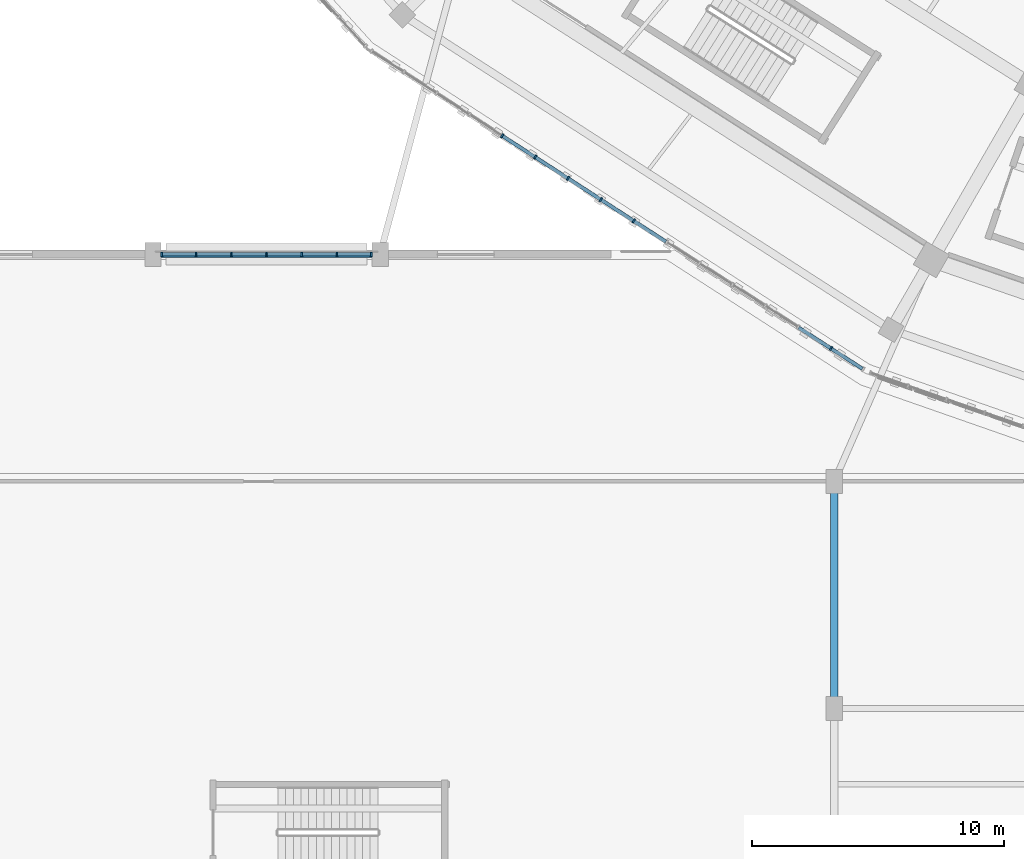
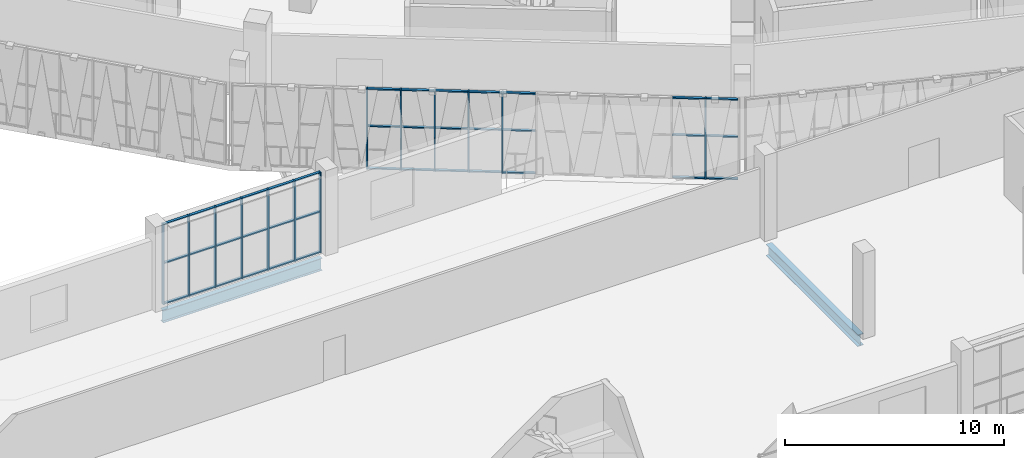
# One storey, part 6 of 179: 52 members, 2 beams, 2 elements without a shape of their own.
"""IFC4 building model written with IfcOpenShell, lengths in metres."""

from ifc_helpers import new_model, si_unit, direction, frame, origin, origin_2d, place, context, subcontext, project, spatial, rectangle, i_section, extrude, material, material_profile, profile_set, type_object, element, aggregate, save


model = new_model("IFC4")

# Units and contexts
model_context = context("Model", 3, precision=1e-05, world=origin(), true_north=direction((0.0, 1.0)))
body_context = subcontext(model_context, "Body", "Model", "MODEL_VIEW")
ifc_project = project(units=[si_unit("LENGTHUNIT", "METRE"), si_unit("AREAUNIT", "SQUARE_METRE"), si_unit("VOLUMEUNIT", "CUBIC_METRE"), si_unit("PLANEANGLEUNIT", "RADIAN"), si_unit("MASSUNIT", "GRAM", prefix="KILO")], contexts=[model_context])

# Site, building, storey
site_placement = place(None, origin())
site = spatial("IfcSite", under=ifc_project, at=site_placement, CompositionType="ELEMENT")
building_placement = place(site_placement, origin())
building = spatial("IfcBuilding", under=site, at=building_placement, Name="Zevraka Park Crest Stadium", CompositionType="ELEMENT")
storey_placement = place(building_placement, frame((0.0, 0.0, 10.199951171875)))
storey = spatial("IfcBuildingStorey", under=building, at=storey_placement, Name="L02", CompositionType="ELEMENT", Elevation=10.199951171875)

# Beams
ifc_material_1 = material(Name="Steel S355", Category="steel")
ifc_material_profile_1 = material_profile(ifc_material_1, i_section(OverallWidth=0.253662109375, OverallDepth=0.68359375, WebThickness=0.012451171875, FlangeThickness=0.01904296875, at=origin_2d()), Name="UKB 686x254x140")
ifc_profile_set_1 = profile_set([ifc_material_profile_1], Name="Steel S355")
beam_type_1 = type_object("IfcBeamType", Name="BG05", PredefinedType="BEAM", material=ifc_profile_set_1)
beam_1_placement = place(storey_placement, frame((36.300048828125, 27.0, -0.629638671875), z_axis=(1.0, 0.0, 0.0), x_axis=(0.0, 1.0, 0.0)))
element("IfcBeam", 1, at=beam_1_placement, inside=storey, type_object=beam_type_1, Name="Wing Girder BG05 L02-56/D", PredefinedType="BEAM", context=body_context, shape_type="SweptSolid", body=[
    extrude(i_section(OverallWidth=0.253662109375, OverallDepth=0.68359375, WebThickness=0.012451171875, FlangeThickness=0.01904296875, at=origin_2d()), origin(), (0.0, 0.0, 1.0), 8.39990234375),
])
ifc_material_2 = material(Name="Steel S355", Category="steel")
ifc_material_profile_2 = material_profile(ifc_material_2, i_section(OverallWidth=0.300048828125, OverallDepth=0.64990234375, WebThickness=0.01611328125, FlangeThickness=0.031005859375, at=origin_2d()), Name="HEB 650")
ifc_profile_set_2 = profile_set([ifc_material_profile_2], Name="Steel S355")
beam_type_2 = type_object("IfcBeamType", Name="BG07", PredefinedType="BEAM", material=ifc_profile_set_2)
beam_2_placement = place(storey_placement, frame((63.0, 9.300048828125, -0.613037109375), z_axis=(0.0, 1.0, 0.0), x_axis=(-1.0, 0.0, 0.0)))
element("IfcBeam", 2, at=beam_2_placement, inside=storey, type_object=beam_type_2, Name="Wing Girder BG07 L02-8/BC", PredefinedType="BEAM", context=body_context, shape_type="SweptSolid", body=[
    extrude(i_section(OverallWidth=0.300048828125, OverallDepth=0.64990234375, WebThickness=0.01611328125, FlangeThickness=0.031005859375, at=origin_2d()), origin(), (0.0, 0.0, 1.0), 8.39990234375),
])

# Curtain wall, members
ifc_material_3 = material(Name="Anodised architectural aluminium and laminated safety glass", Category="aluminium")
curtain_wall_type_1 = type_object("IfcCurtainWallType", Name="CW08", PredefinedType="NOTDEFINED", material=ifc_material_3)
curtain_wall_1_placement = place(storey_placement, origin())
curtain_wall_1 = element("IfcCurtainWall", 3, at=curtain_wall_1_placement, inside=storey, type_object=curtain_wall_type_1, Name="Unitised Ring Curtain Wall CW08 L02-15", PredefinedType="NOTDEFINED")
ifc_material_4 = material(Name="Anodised architectural aluminium", Category="aluminium")
ifc_material_profile_3 = material_profile(ifc_material_4, rectangle(XDim=0.179931640625, YDim=0.06494140625, at=origin_2d()), Name="ALU MULLION 180x65")
ifc_profile_set_3 = profile_set([ifc_material_profile_3], Name="Anodised architectural aluminium")
member_type_1 = type_object("IfcMemberType", Name="CM02", PredefinedType="MULLION", material=ifc_profile_set_3)
member_1_placement = place(storey_placement, frame((49.84375, 31.697998046875, 0.0), z_axis=(0.0, 0.0, 1.0), x_axis=(0.543096287444, 0.839670424967, 0.0)))
member_1 = element("IfcMember", 4, at=member_1_placement, type_object=member_type_1, Name="CW08 mullion 5", PredefinedType="MULLION", context=body_context, shape_type="SweptSolid", body=[
    extrude(rectangle(XDim=0.179931640625, YDim=0.06494140625, at=origin_2d()), origin(), (0.0, 0.0, 1.0), 4.5),
])
member_2_placement = place(storey_placement, frame((51.146728515625, 30.855224609375, 0.0), z_axis=(0.0, 0.0, 1.0), x_axis=(0.543096287444, 0.839670424967, 0.0)))
member_2 = element("IfcMember", 5, at=member_2_placement, type_object=member_type_1, Name="CW08 mullion 6", PredefinedType="MULLION", context=body_context, shape_type="SweptSolid", body=[
    extrude(rectangle(XDim=0.179931640625, YDim=0.06494140625, at=origin_2d()), origin(), (0.0, 0.0, 1.0), 4.5),
])
member_3_placement = place(storey_placement, frame((52.44970703125, 30.0126953125, 0.0), z_axis=(0.0, 0.0, 1.0), x_axis=(0.543096287444, 0.839670424967, 0.0)))
member_3 = element("IfcMember", 6, at=member_3_placement, type_object=member_type_1, Name="CW08 mullion 7", PredefinedType="MULLION", context=body_context, shape_type="SweptSolid", body=[
    extrude(rectangle(XDim=0.179931640625, YDim=0.06494140625, at=origin_2d()), origin(), (0.0, 0.0, 1.0), 4.5),
])
member_4_placement = place(storey_placement, frame((53.75244140625, 29.169921875, 0.0), z_axis=(0.0, 0.0, 1.0), x_axis=(0.543096287444, 0.839670424967, 0.0)))
member_4 = element("IfcMember", 7, at=member_4_placement, type_object=member_type_1, Name="CW08 mullion 8", PredefinedType="MULLION", context=body_context, shape_type="SweptSolid", body=[
    extrude(rectangle(XDim=0.179931640625, YDim=0.06494140625, at=origin_2d()), origin(), (0.0, 0.0, 1.0), 4.5),
])
member_5_placement = place(storey_placement, frame((55.055419921875, 28.3271484375, 0.0), z_axis=(0.0, 0.0, 1.0), x_axis=(0.543096287444, 0.839670424967, 0.0)))
member_5 = element("IfcMember", 8, at=member_5_placement, type_object=member_type_1, Name="CW08 mullion 9", PredefinedType="MULLION", context=body_context, shape_type="SweptSolid", body=[
    extrude(rectangle(XDim=0.179931640625, YDim=0.06494140625, at=origin_2d()), origin(), (0.0, 0.0, 1.0), 4.5),
])
member_6_placement = place(storey_placement, frame((62.873046875, 23.270751953125, 0.0), z_axis=(0.0, 0.0, 1.0), x_axis=(0.543096287444, 0.839670424967, 0.0)))
member_6 = element("IfcMember", 9, at=member_6_placement, type_object=member_type_1, Name="CW08 mullion 15", PredefinedType="MULLION", context=body_context, shape_type="SweptSolid", body=[
    extrude(rectangle(XDim=0.179931640625, YDim=0.06494140625, at=origin_2d()), origin(), (0.0, 0.0, 1.0), 4.5),
])

ifc_material_5 = material(Name="Anodised architectural aluminium and laminated safety glass", Category="aluminium")
curtain_wall_type_2 = type_object("IfcCurtainWallType", Name="CW26", PredefinedType="NOTDEFINED", material=ifc_material_5)
curtain_wall_2_placement = place(storey_placement, origin())
curtain_wall_2 = element("IfcCurtainWall", 10, at=curtain_wall_2_placement, inside=storey, type_object=curtain_wall_type_2, Name="Wing Curtain Wall CW26 L02-SW-N-4", PredefinedType="NOTDEFINED")
member_7_placement = place(storey_placement, frame((36.347412109375, 27.0, 0.0), z_axis=(0.0, 0.0, 1.0), x_axis=(0.0, 1.0, 0.0)))
member_7 = element("IfcMember", 11, at=member_7_placement, type_object=member_type_1, Name="CW26 mullion 1", PredefinedType="MULLION", context=body_context, shape_type="SweptSolid", body=[
    extrude(rectangle(XDim=0.179931640625, YDim=0.06494140625, at=origin_2d()), origin(), (0.0, 0.0, 1.0), 4.5),
])
member_8_placement = place(storey_placement, frame((37.7099609375, 27.0, 0.0), z_axis=(0.0, 0.0, 1.0), x_axis=(0.0, 1.0, 0.0)))
member_8 = element("IfcMember", 12, at=member_8_placement, type_object=member_type_1, Name="CW26 mullion 2", PredefinedType="MULLION", context=body_context, shape_type="SweptSolid", body=[
    extrude(rectangle(XDim=0.179931640625, YDim=0.06494140625, at=origin_2d()), origin(), (0.0, 0.0, 1.0), 4.5),
])
member_9_placement = place(storey_placement, frame((39.10498046875, 27.0, 0.0), z_axis=(0.0, 0.0, 1.0), x_axis=(0.0, 1.0, 0.0)))
member_9 = element("IfcMember", 13, at=member_9_placement, type_object=member_type_1, Name="CW26 mullion 3", PredefinedType="MULLION", context=body_context, shape_type="SweptSolid", body=[
    extrude(rectangle(XDim=0.179931640625, YDim=0.06494140625, at=origin_2d()), origin(), (0.0, 0.0, 1.0), 4.5),
])
member_10_placement = place(storey_placement, frame((40.5, 27.0, 0.0), z_axis=(0.0, 0.0, 1.0), x_axis=(0.0, 1.0, 0.0)))
member_10 = element("IfcMember", 14, at=member_10_placement, type_object=member_type_1, Name="CW26 mullion 4", PredefinedType="MULLION", context=body_context, shape_type="SweptSolid", body=[
    extrude(rectangle(XDim=0.179931640625, YDim=0.06494140625, at=origin_2d()), origin(), (0.0, 0.0, 1.0), 4.5),
])
member_11_placement = place(storey_placement, frame((41.89501953125, 27.0, 0.0), z_axis=(0.0, 0.0, 1.0), x_axis=(0.0, 1.0, 0.0)))
member_11 = element("IfcMember", 15, at=member_11_placement, type_object=member_type_1, Name="CW26 mullion 5", PredefinedType="MULLION", context=body_context, shape_type="SweptSolid", body=[
    extrude(rectangle(XDim=0.179931640625, YDim=0.06494140625, at=origin_2d()), origin(), (0.0, 0.0, 1.0), 4.5),
])
member_12_placement = place(storey_placement, frame((43.2900390625, 27.0, 0.0), z_axis=(0.0, 0.0, 1.0), x_axis=(0.0, 1.0, 0.0)))
member_12 = element("IfcMember", 16, at=member_12_placement, type_object=member_type_1, Name="CW26 mullion 6", PredefinedType="MULLION", context=body_context, shape_type="SweptSolid", body=[
    extrude(rectangle(XDim=0.179931640625, YDim=0.06494140625, at=origin_2d()), origin(), (0.0, 0.0, 1.0), 4.5),
])
member_13_placement = place(storey_placement, frame((44.652587890625, 27.0, 0.0), z_axis=(0.0, 0.0, 1.0), x_axis=(0.0, 1.0, 0.0)))
member_13 = element("IfcMember", 17, at=member_13_placement, type_object=member_type_1, Name="CW26 mullion 7", PredefinedType="MULLION", context=body_context, shape_type="SweptSolid", body=[
    extrude(rectangle(XDim=0.179931640625, YDim=0.06494140625, at=origin_2d()), origin(), (0.0, 0.0, 1.0), 4.5),
])

# Member
ifc_material_6 = material(Name="Anodised architectural aluminium", Category="aluminium")
ifc_material_profile_4 = material_profile(ifc_material_6, rectangle(XDim=0.139892578125, YDim=0.06494140625, at=origin_2d()), Name="ALU TRANSOM 140x65")
ifc_profile_set_4 = profile_set([ifc_material_profile_4], Name="Anodised architectural aluminium")
member_type_2 = type_object("IfcMemberType", Name="CT02", PredefinedType="USERDEFINED", material=ifc_profile_set_4)
member_14_placement = place(storey_placement, frame((49.87109375, 31.680419921875, 0.032470703125), z_axis=(0.839675885301, -0.543087845236, 0.0), x_axis=(0.543087845236, 0.839675885301, 0.0)))
member_14 = element("IfcMember", 18, at=member_14_placement, type_object=member_type_2, Name="CW08 transom 5.1", ObjectType="TRANSOM", PredefinedType="USERDEFINED", context=body_context, shape_type="SweptSolid", body=[
    extrude(rectangle(XDim=0.139892578125, YDim=0.06494140625, at=origin_2d()), origin(), (0.0, 0.0, 1.0), 1.486572265625),
])

member_15_placement = place(storey_placement, frame((49.87109375, 31.680419921875, 2.400146484375), z_axis=(0.839675885301, -0.543087845236, 0.0), x_axis=(0.543087845236, 0.839675885301, 0.0)))
member_15 = element("IfcMember", 19, at=member_15_placement, type_object=member_type_2, Name="CW08 transom 5.2", ObjectType="TRANSOM", PredefinedType="USERDEFINED", context=body_context, shape_type="SweptSolid", body=[
    extrude(rectangle(XDim=0.139892578125, YDim=0.06494140625, at=origin_2d()), origin(), (0.0, 0.0, 1.0), 1.486572265625),
])

member_16_placement = place(storey_placement, frame((49.87109375, 31.680419921875, 4.467529296875), z_axis=(0.839675885301, -0.543087845236, 0.0), x_axis=(0.543087845236, 0.839675885301, 0.0)))
member_16 = element("IfcMember", 20, at=member_16_placement, type_object=member_type_2, Name="CW08 transom 5.3", ObjectType="TRANSOM", PredefinedType="USERDEFINED", context=body_context, shape_type="SweptSolid", body=[
    extrude(rectangle(XDim=0.139892578125, YDim=0.06494140625, at=origin_2d()), origin(), (0.0, 0.0, 1.0), 1.486572265625),
])

member_17_placement = place(storey_placement, frame((51.174072265625, 30.837646484375, 0.032470703125), z_axis=(0.839675885301, -0.543087845236, 0.0), x_axis=(0.543087845236, 0.839675885301, 0.0)))
member_17 = element("IfcMember", 21, at=member_17_placement, type_object=member_type_2, Name="CW08 transom 6.1", ObjectType="TRANSOM", PredefinedType="USERDEFINED", context=body_context, shape_type="SweptSolid", body=[
    extrude(rectangle(XDim=0.139892578125, YDim=0.06494140625, at=origin_2d()), origin(), (0.0, 0.0, 1.0), 1.486572265625),
])

member_18_placement = place(storey_placement, frame((51.174072265625, 30.837646484375, 2.400146484375), z_axis=(0.839675885301, -0.543087845236, 0.0), x_axis=(0.543087845236, 0.839675885301, 0.0)))
member_18 = element("IfcMember", 22, at=member_18_placement, type_object=member_type_2, Name="CW08 transom 6.2", ObjectType="TRANSOM", PredefinedType="USERDEFINED", context=body_context, shape_type="SweptSolid", body=[
    extrude(rectangle(XDim=0.139892578125, YDim=0.06494140625, at=origin_2d()), origin(), (0.0, 0.0, 1.0), 1.486572265625),
])

member_19_placement = place(storey_placement, frame((51.174072265625, 30.837646484375, 4.467529296875), z_axis=(0.839675885301, -0.543087845236, 0.0), x_axis=(0.543087845236, 0.839675885301, 0.0)))
member_19 = element("IfcMember", 23, at=member_19_placement, type_object=member_type_2, Name="CW08 transom 6.3", ObjectType="TRANSOM", PredefinedType="USERDEFINED", context=body_context, shape_type="SweptSolid", body=[
    extrude(rectangle(XDim=0.139892578125, YDim=0.06494140625, at=origin_2d()), origin(), (0.0, 0.0, 1.0), 1.486572265625),
])

member_20_placement = place(storey_placement, frame((52.476806640625, 29.994873046875, 0.032470703125), z_axis=(0.839724312152, -0.543012964468, 0.0), x_axis=(0.543012964468, 0.839724312152, 0.0)))
member_20 = element("IfcMember", 24, at=member_20_placement, type_object=member_type_2, Name="CW08 transom 7.1", ObjectType="TRANSOM", PredefinedType="USERDEFINED", context=body_context, shape_type="SweptSolid", body=[
    extrude(rectangle(XDim=0.139892578125, YDim=0.06494140625, at=origin_2d()), origin(), (0.0, 0.0, 1.0), 1.48681640625),
])

member_21_placement = place(storey_placement, frame((52.476806640625, 29.994873046875, 2.400146484375), z_axis=(0.839724312152, -0.543012964468, 0.0), x_axis=(0.543012964468, 0.839724312152, 0.0)))
member_21 = element("IfcMember", 25, at=member_21_placement, type_object=member_type_2, Name="CW08 transom 7.2", ObjectType="TRANSOM", PredefinedType="USERDEFINED", context=body_context, shape_type="SweptSolid", body=[
    extrude(rectangle(XDim=0.139892578125, YDim=0.06494140625, at=origin_2d()), origin(), (0.0, 0.0, 1.0), 1.48681640625),
])

member_22_placement = place(storey_placement, frame((52.476806640625, 29.994873046875, 4.467529296875), z_axis=(0.839724312152, -0.543012964468, 0.0), x_axis=(0.543012964468, 0.839724312152, 0.0)))
member_22 = element("IfcMember", 26, at=member_22_placement, type_object=member_type_2, Name="CW08 transom 7.3", ObjectType="TRANSOM", PredefinedType="USERDEFINED", context=body_context, shape_type="SweptSolid", body=[
    extrude(rectangle(XDim=0.139892578125, YDim=0.06494140625, at=origin_2d()), origin(), (0.0, 0.0, 1.0), 1.48681640625),
])

member_23_placement = place(storey_placement, frame((53.77978515625, 29.152099609375, 0.032470703125), z_axis=(0.839675885301, -0.543087845236, 0.0), x_axis=(0.543087845236, 0.839675885301, 0.0)))
member_23 = element("IfcMember", 27, at=member_23_placement, type_object=member_type_2, Name="CW08 transom 8.1", ObjectType="TRANSOM", PredefinedType="USERDEFINED", context=body_context, shape_type="SweptSolid", body=[
    extrude(rectangle(XDim=0.139892578125, YDim=0.06494140625, at=origin_2d()), origin(), (0.0, 0.0, 1.0), 1.486572265625),
])

member_24_placement = place(storey_placement, frame((53.77978515625, 29.152099609375, 2.400146484375), z_axis=(0.839675885301, -0.543087845236, 0.0), x_axis=(0.543087845236, 0.839675885301, 0.0)))
member_24 = element("IfcMember", 28, at=member_24_placement, type_object=member_type_2, Name="CW08 transom 8.2", ObjectType="TRANSOM", PredefinedType="USERDEFINED", context=body_context, shape_type="SweptSolid", body=[
    extrude(rectangle(XDim=0.139892578125, YDim=0.06494140625, at=origin_2d()), origin(), (0.0, 0.0, 1.0), 1.486572265625),
])

member_25_placement = place(storey_placement, frame((53.77978515625, 29.152099609375, 4.467529296875), z_axis=(0.839675885301, -0.543087845236, 0.0), x_axis=(0.543087845236, 0.839675885301, 0.0)))
member_25 = element("IfcMember", 29, at=member_25_placement, type_object=member_type_2, Name="CW08 transom 8.3", ObjectType="TRANSOM", PredefinedType="USERDEFINED", context=body_context, shape_type="SweptSolid", body=[
    extrude(rectangle(XDim=0.139892578125, YDim=0.06494140625, at=origin_2d()), origin(), (0.0, 0.0, 1.0), 1.486572265625),
])

member_26_placement = place(storey_placement, frame((55.082763671875, 28.3095703125, 0.032470703125), z_axis=(0.839600995064, -0.543203616599, 0.0), x_axis=(0.543203616599, 0.839600995064, 0.0)))
member_26 = element("IfcMember", 30, at=member_26_placement, type_object=member_type_2, Name="CW08 transom 9.1", ObjectType="TRANSOM", PredefinedType="USERDEFINED", context=body_context, shape_type="SweptSolid", body=[
    extrude(rectangle(XDim=0.139892578125, YDim=0.06494140625, at=origin_2d()), origin(), (0.0, 0.0, 1.0), 1.48681640625),
])

member_27_placement = place(storey_placement, frame((55.082763671875, 28.3095703125, 2.400146484375), z_axis=(0.839600995064, -0.543203616599, 0.0), x_axis=(0.543203616599, 0.839600995064, 0.0)))
member_27 = element("IfcMember", 31, at=member_27_placement, type_object=member_type_2, Name="CW08 transom 9.2", ObjectType="TRANSOM", PredefinedType="USERDEFINED", context=body_context, shape_type="SweptSolid", body=[
    extrude(rectangle(XDim=0.139892578125, YDim=0.06494140625, at=origin_2d()), origin(), (0.0, 0.0, 1.0), 1.48681640625),
])

member_28_placement = place(storey_placement, frame((55.082763671875, 28.3095703125, 4.467529296875), z_axis=(0.839600995064, -0.543203616599, 0.0), x_axis=(0.543203616599, 0.839600995064, 0.0)))
member_28 = element("IfcMember", 32, at=member_28_placement, type_object=member_type_2, Name="CW08 transom 9.3", ObjectType="TRANSOM", PredefinedType="USERDEFINED", context=body_context, shape_type="SweptSolid", body=[
    extrude(rectangle(XDim=0.139892578125, YDim=0.06494140625, at=origin_2d()), origin(), (0.0, 0.0, 1.0), 1.48681640625),
])

member_29_placement = place(storey_placement, frame((61.597412109375, 24.095703125, 0.032470703125), z_axis=(0.839675885301, -0.543087845236, 0.0), x_axis=(0.543087845236, 0.839675885301, 0.0)))
member_29 = element("IfcMember", 33, at=member_29_placement, type_object=member_type_2, Name="CW08 transom 14.1", ObjectType="TRANSOM", PredefinedType="USERDEFINED", context=body_context, shape_type="SweptSolid", body=[
    extrude(rectangle(XDim=0.139892578125, YDim=0.06494140625, at=origin_2d()), origin(), (0.0, 0.0, 1.0), 1.486572265625),
])

member_30_placement = place(storey_placement, frame((61.597412109375, 24.095703125, 2.400146484375), z_axis=(0.839675885301, -0.543087845236, 0.0), x_axis=(0.543087845236, 0.839675885301, 0.0)))
member_30 = element("IfcMember", 34, at=member_30_placement, type_object=member_type_2, Name="CW08 transom 14.2", ObjectType="TRANSOM", PredefinedType="USERDEFINED", context=body_context, shape_type="SweptSolid", body=[
    extrude(rectangle(XDim=0.139892578125, YDim=0.06494140625, at=origin_2d()), origin(), (0.0, 0.0, 1.0), 1.486572265625),
])

member_31_placement = place(storey_placement, frame((61.597412109375, 24.095703125, 4.467529296875), z_axis=(0.839675885301, -0.543087845236, 0.0), x_axis=(0.543087845236, 0.839675885301, 0.0)))
member_31 = element("IfcMember", 35, at=member_31_placement, type_object=member_type_2, Name="CW08 transom 14.3", ObjectType="TRANSOM", PredefinedType="USERDEFINED", context=body_context, shape_type="SweptSolid", body=[
    extrude(rectangle(XDim=0.139892578125, YDim=0.06494140625, at=origin_2d()), origin(), (0.0, 0.0, 1.0), 1.486572265625),
])

member_32_placement = place(storey_placement, frame((62.900390625, 23.253173828125, 0.032470703125), z_axis=(0.839642221706, -0.543139889466, 0.0), x_axis=(0.543139889466, 0.839642221706, 0.0)))
member_32 = element("IfcMember", 36, at=member_32_placement, type_object=member_type_2, Name="CW08 transom 15.1", ObjectType="TRANSOM", PredefinedType="USERDEFINED", context=body_context, shape_type="SweptSolid", body=[
    extrude(rectangle(XDim=0.139892578125, YDim=0.06494140625, at=origin_2d()), origin(), (0.0, 0.0, 1.0), 1.4541015625),
])

member_33_placement = place(storey_placement, frame((62.900390625, 23.253173828125, 2.400146484375), z_axis=(0.839642221706, -0.543139889466, 0.0), x_axis=(0.543139889466, 0.839642221706, 0.0)))
member_33 = element("IfcMember", 37, at=member_33_placement, type_object=member_type_2, Name="CW08 transom 15.2", ObjectType="TRANSOM", PredefinedType="USERDEFINED", context=body_context, shape_type="SweptSolid", body=[
    extrude(rectangle(XDim=0.139892578125, YDim=0.06494140625, at=origin_2d()), origin(), (0.0, 0.0, 1.0), 1.4541015625),
])

member_34_placement = place(storey_placement, frame((62.900390625, 23.253173828125, 4.467529296875), z_axis=(0.839642221706, -0.543139889466, 0.0), x_axis=(0.543139889466, 0.839642221706, 0.0)))
member_34 = element("IfcMember", 38, at=member_34_placement, type_object=member_type_2, Name="CW08 transom 15.3", ObjectType="TRANSOM", PredefinedType="USERDEFINED", context=body_context, shape_type="SweptSolid", body=[
    extrude(rectangle(XDim=0.139892578125, YDim=0.06494140625, at=origin_2d()), origin(), (0.0, 0.0, 1.0), 1.4541015625),
])

aggregate(curtain_wall_1, [member_1, member_2, member_3, member_4, member_5, member_6, member_14, member_15, member_16, member_17, member_18, member_19, member_20, member_21, member_22, member_23, member_24, member_25, member_26, member_27, member_28, member_29, member_30, member_31, member_32, member_33, member_34])

member_35_placement = place(storey_placement, frame((36.3798828125, 27.0, 0.032470703125), z_axis=(1.0, 0.0, 0.0), x_axis=(0.0, 1.0, 0.0)))
member_35 = element("IfcMember", 39, at=member_35_placement, type_object=member_type_2, Name="CW26 transom 1.1", ObjectType="TRANSOM", PredefinedType="USERDEFINED", context=body_context, shape_type="SweptSolid", body=[
    extrude(rectangle(XDim=0.139892578125, YDim=0.06494140625, at=origin_2d()), origin(), (0.0, 0.0, 1.0), 1.297607421875),
])

member_36_placement = place(storey_placement, frame((36.3798828125, 27.0, 2.300048828125), z_axis=(1.0, 0.0, 0.0), x_axis=(0.0, 1.0, 0.0)))
member_36 = element("IfcMember", 40, at=member_36_placement, type_object=member_type_2, Name="CW26 transom 1.2", ObjectType="TRANSOM", PredefinedType="USERDEFINED", context=body_context, shape_type="SweptSolid", body=[
    extrude(rectangle(XDim=0.139892578125, YDim=0.06494140625, at=origin_2d()), origin(), (0.0, 0.0, 1.0), 1.297607421875),
])

member_37_placement = place(storey_placement, frame((36.3798828125, 27.0, 4.467529296875), z_axis=(1.0, 0.0, 0.0), x_axis=(0.0, 1.0, 0.0)))
member_37 = element("IfcMember", 41, at=member_37_placement, type_object=member_type_2, Name="CW26 transom 1.3", ObjectType="TRANSOM", PredefinedType="USERDEFINED", context=body_context, shape_type="SweptSolid", body=[
    extrude(rectangle(XDim=0.139892578125, YDim=0.06494140625, at=origin_2d()), origin(), (0.0, 0.0, 1.0), 1.297607421875),
])

member_38_placement = place(storey_placement, frame((37.742431640625, 27.0, 0.032470703125), z_axis=(1.0, 0.0, 0.0), x_axis=(0.0, 1.0, 0.0)))
member_38 = element("IfcMember", 42, at=member_38_placement, type_object=member_type_2, Name="CW26 transom 2.1", ObjectType="TRANSOM", PredefinedType="USERDEFINED", context=body_context, shape_type="SweptSolid", body=[
    extrude(rectangle(XDim=0.139892578125, YDim=0.06494140625, at=origin_2d()), origin(), (0.0, 0.0, 1.0), 1.330078125),
])

member_39_placement = place(storey_placement, frame((37.742431640625, 27.0, 2.300048828125), z_axis=(1.0, 0.0, 0.0), x_axis=(0.0, 1.0, 0.0)))
member_39 = element("IfcMember", 43, at=member_39_placement, type_object=member_type_2, Name="CW26 transom 2.2", ObjectType="TRANSOM", PredefinedType="USERDEFINED", context=body_context, shape_type="SweptSolid", body=[
    extrude(rectangle(XDim=0.139892578125, YDim=0.06494140625, at=origin_2d()), origin(), (0.0, 0.0, 1.0), 1.330078125),
])

member_40_placement = place(storey_placement, frame((37.742431640625, 27.0, 4.467529296875), z_axis=(1.0, 0.0, 0.0), x_axis=(0.0, 1.0, 0.0)))
member_40 = element("IfcMember", 44, at=member_40_placement, type_object=member_type_2, Name="CW26 transom 2.3", ObjectType="TRANSOM", PredefinedType="USERDEFINED", context=body_context, shape_type="SweptSolid", body=[
    extrude(rectangle(XDim=0.139892578125, YDim=0.06494140625, at=origin_2d()), origin(), (0.0, 0.0, 1.0), 1.330078125),
])

member_41_placement = place(storey_placement, frame((39.137451171875, 27.0, 0.032470703125), z_axis=(1.0, 0.0, 0.0), x_axis=(0.0, 1.0, 0.0)))
member_41 = element("IfcMember", 45, at=member_41_placement, type_object=member_type_2, Name="CW26 transom 3.1", ObjectType="TRANSOM", PredefinedType="USERDEFINED", context=body_context, shape_type="SweptSolid", body=[
    extrude(rectangle(XDim=0.139892578125, YDim=0.06494140625, at=origin_2d()), origin(), (0.0, 0.0, 1.0), 1.330078125),
])

member_42_placement = place(storey_placement, frame((39.137451171875, 27.0, 2.300048828125), z_axis=(1.0, 0.0, 0.0), x_axis=(0.0, 1.0, 0.0)))
member_42 = element("IfcMember", 46, at=member_42_placement, type_object=member_type_2, Name="CW26 transom 3.2", ObjectType="TRANSOM", PredefinedType="USERDEFINED", context=body_context, shape_type="SweptSolid", body=[
    extrude(rectangle(XDim=0.139892578125, YDim=0.06494140625, at=origin_2d()), origin(), (0.0, 0.0, 1.0), 1.330078125),
])

member_43_placement = place(storey_placement, frame((39.137451171875, 27.0, 4.467529296875), z_axis=(1.0, 0.0, 0.0), x_axis=(0.0, 1.0, 0.0)))
member_43 = element("IfcMember", 47, at=member_43_placement, type_object=member_type_2, Name="CW26 transom 3.3", ObjectType="TRANSOM", PredefinedType="USERDEFINED", context=body_context, shape_type="SweptSolid", body=[
    extrude(rectangle(XDim=0.139892578125, YDim=0.06494140625, at=origin_2d()), origin(), (0.0, 0.0, 1.0), 1.330078125),
])

member_44_placement = place(storey_placement, frame((40.532470703125, 27.0, 0.032470703125), z_axis=(1.0, 0.0, 0.0), x_axis=(0.0, 1.0, 0.0)))
member_44 = element("IfcMember", 48, at=member_44_placement, type_object=member_type_2, Name="CW26 transom 4.1", ObjectType="TRANSOM", PredefinedType="USERDEFINED", context=body_context, shape_type="SweptSolid", body=[
    extrude(rectangle(XDim=0.139892578125, YDim=0.06494140625, at=origin_2d()), origin(), (0.0, 0.0, 1.0), 1.330078125),
])

member_45_placement = place(storey_placement, frame((40.532470703125, 27.0, 2.300048828125), z_axis=(1.0, 0.0, 0.0), x_axis=(0.0, 1.0, 0.0)))
member_45 = element("IfcMember", 49, at=member_45_placement, type_object=member_type_2, Name="CW26 transom 4.2", ObjectType="TRANSOM", PredefinedType="USERDEFINED", context=body_context, shape_type="SweptSolid", body=[
    extrude(rectangle(XDim=0.139892578125, YDim=0.06494140625, at=origin_2d()), origin(), (0.0, 0.0, 1.0), 1.330078125),
])

member_46_placement = place(storey_placement, frame((40.532470703125, 27.0, 4.467529296875), z_axis=(1.0, 0.0, 0.0), x_axis=(0.0, 1.0, 0.0)))
member_46 = element("IfcMember", 50, at=member_46_placement, type_object=member_type_2, Name="CW26 transom 4.3", ObjectType="TRANSOM", PredefinedType="USERDEFINED", context=body_context, shape_type="SweptSolid", body=[
    extrude(rectangle(XDim=0.139892578125, YDim=0.06494140625, at=origin_2d()), origin(), (0.0, 0.0, 1.0), 1.330078125),
])

member_47_placement = place(storey_placement, frame((41.927490234375, 27.0, 0.032470703125), z_axis=(1.0, 0.0, 0.0), x_axis=(0.0, 1.0, 0.0)))
member_47 = element("IfcMember", 51, at=member_47_placement, type_object=member_type_2, Name="CW26 transom 5.1", ObjectType="TRANSOM", PredefinedType="USERDEFINED", context=body_context, shape_type="SweptSolid", body=[
    extrude(rectangle(XDim=0.139892578125, YDim=0.06494140625, at=origin_2d()), origin(), (0.0, 0.0, 1.0), 1.330078125),
])

member_48_placement = place(storey_placement, frame((41.927490234375, 27.0, 2.300048828125), z_axis=(1.0, 0.0, 0.0), x_axis=(0.0, 1.0, 0.0)))
member_48 = element("IfcMember", 52, at=member_48_placement, type_object=member_type_2, Name="CW26 transom 5.2", ObjectType="TRANSOM", PredefinedType="USERDEFINED", context=body_context, shape_type="SweptSolid", body=[
    extrude(rectangle(XDim=0.139892578125, YDim=0.06494140625, at=origin_2d()), origin(), (0.0, 0.0, 1.0), 1.330078125),
])

member_49_placement = place(storey_placement, frame((41.927490234375, 27.0, 4.467529296875), z_axis=(1.0, 0.0, 0.0), x_axis=(0.0, 1.0, 0.0)))
member_49 = element("IfcMember", 53, at=member_49_placement, type_object=member_type_2, Name="CW26 transom 5.3", ObjectType="TRANSOM", PredefinedType="USERDEFINED", context=body_context, shape_type="SweptSolid", body=[
    extrude(rectangle(XDim=0.139892578125, YDim=0.06494140625, at=origin_2d()), origin(), (0.0, 0.0, 1.0), 1.330078125),
])

member_50_placement = place(storey_placement, frame((43.322509765625, 27.0, 0.032470703125), z_axis=(1.0, 0.0, 0.0), x_axis=(0.0, 1.0, 0.0)))
member_50 = element("IfcMember", 54, at=member_50_placement, type_object=member_type_2, Name="CW26 transom 6.1", ObjectType="TRANSOM", PredefinedType="USERDEFINED", context=body_context, shape_type="SweptSolid", body=[
    extrude(rectangle(XDim=0.139892578125, YDim=0.06494140625, at=origin_2d()), origin(), (0.0, 0.0, 1.0), 1.297607421875),
])

member_51_placement = place(storey_placement, frame((43.322509765625, 27.0, 2.300048828125), z_axis=(1.0, 0.0, 0.0), x_axis=(0.0, 1.0, 0.0)))
member_51 = element("IfcMember", 55, at=member_51_placement, type_object=member_type_2, Name="CW26 transom 6.2", ObjectType="TRANSOM", PredefinedType="USERDEFINED", context=body_context, shape_type="SweptSolid", body=[
    extrude(rectangle(XDim=0.139892578125, YDim=0.06494140625, at=origin_2d()), origin(), (0.0, 0.0, 1.0), 1.297607421875),
])

member_52_placement = place(storey_placement, frame((43.322509765625, 27.0, 4.467529296875), z_axis=(1.0, 0.0, 0.0), x_axis=(0.0, 1.0, 0.0)))
member_52 = element("IfcMember", 56, at=member_52_placement, type_object=member_type_2, Name="CW26 transom 6.3", ObjectType="TRANSOM", PredefinedType="USERDEFINED", context=body_context, shape_type="SweptSolid", body=[
    extrude(rectangle(XDim=0.139892578125, YDim=0.06494140625, at=origin_2d()), origin(), (0.0, 0.0, 1.0), 1.297607421875),
])

aggregate(curtain_wall_2, [member_7, member_8, member_9, member_10, member_11, member_12, member_13, member_35, member_36, member_37, member_38, member_39, member_40, member_41, member_42, member_43, member_44, member_45, member_46, member_47, member_48, member_49, member_50, member_51, member_52])

save(model, "model.ifc")
